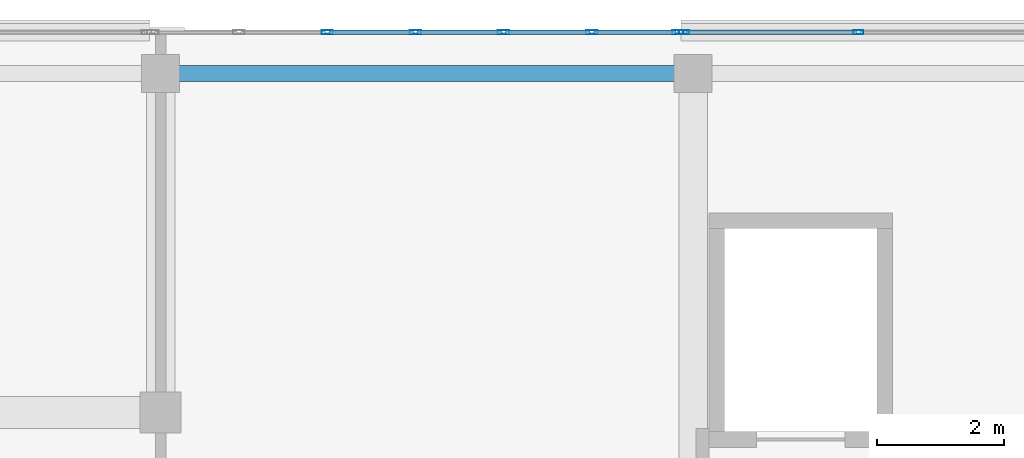
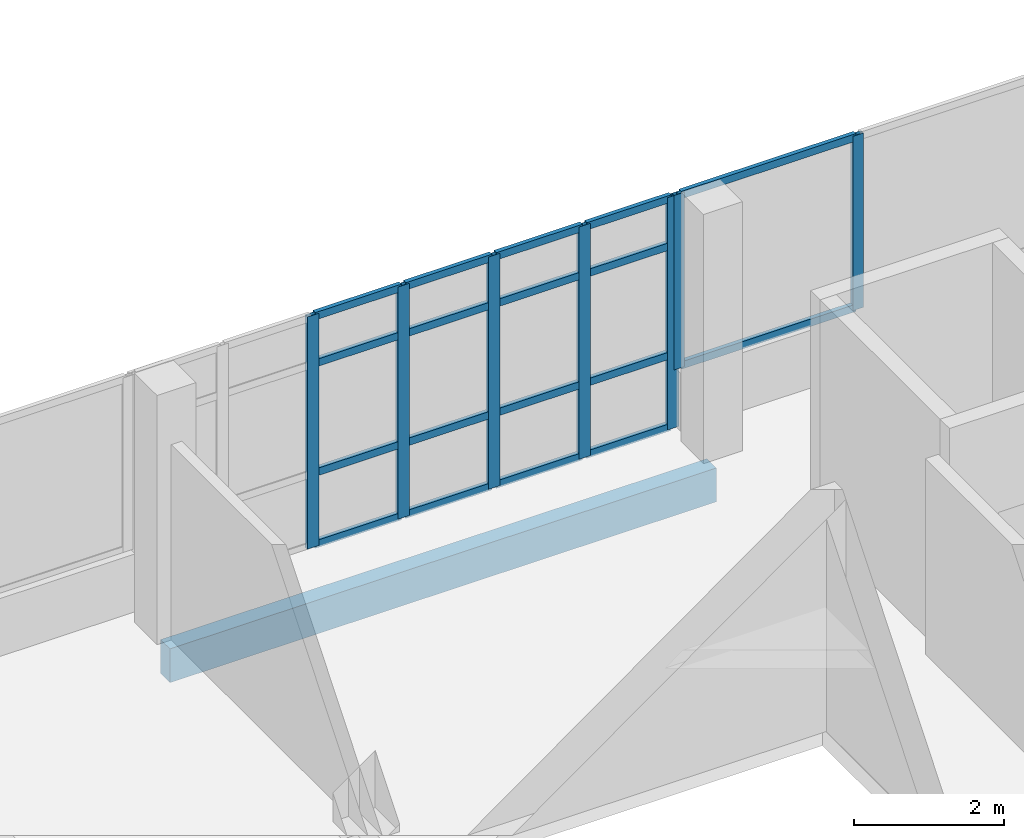
# One storey, part 32 of 78: 25 members, 1 beam, 2 elements without a shape of their own.
"""IFC4 building model written with IfcOpenShell, lengths in metres."""

from ifc_helpers import new_model, si_unit, direction, frame, origin, origin_2d, place, context, subcontext, project, spatial, rectangle, hollow_rectangle, extrude, material, material_profile, profile_set, type_object, element, aggregate, save


model = new_model("IFC4")

# Units and contexts
model_context = context("Model", 3, precision=1e-05, world=origin(), true_north=direction((0.0, 1.0)))
body_context = subcontext(model_context, "Body", "Model", "MODEL_VIEW")
ifc_project = project(units=[si_unit("LENGTHUNIT", "METRE"), si_unit("AREAUNIT", "SQUARE_METRE"), si_unit("VOLUMEUNIT", "CUBIC_METRE"), si_unit("PLANEANGLEUNIT", "RADIAN"), si_unit("MASSUNIT", "GRAM", prefix="KILO")], contexts=[model_context])

# Site, building, storey
site_placement = place(None, origin())
site = spatial("IfcSite", under=ifc_project, at=site_placement, CompositionType="ELEMENT")
building_placement = place(site_placement, origin())
building = spatial("IfcBuilding", under=site, at=building_placement, Name="Selatvlak General Hospital", CompositionType="ELEMENT")
storey_placement = place(building_placement, frame((0.0, 0.0, 23.25)))
storey = spatial("IfcBuildingStorey", under=building, at=storey_placement, Name="L05", CompositionType="ELEMENT", Elevation=23.25)

# Beam
ifc_material_1 = material(Name="Concrete C40/50", Category="concrete")
ifc_material_profile_1 = material_profile(ifc_material_1, rectangle(XDim=0.25, YDim=0.550048828125, at=origin_2d()), Name="RC-SP 250x550")
ifc_profile_set_1 = profile_set([ifc_material_profile_1], Name="Concrete C40/50")
beam_type = type_object("IfcBeamType", Name="BM-SP2", PredefinedType="SPANDREL", material=ifc_profile_set_1)
beam_placement = place(storey_placement, frame((90.0, 119.35009765625, -0.554931640625), z_axis=(1.0, 0.0, 0.0), x_axis=(0.0, 1.0, 0.0)))
element("IfcBeam", 1, at=beam_placement, inside=storey, type_object=beam_type, Name="Beam BMR-L05-1980", PredefinedType="SPANDREL", context=body_context, shape_type="SweptSolid", body=[
    extrude(rectangle(XDim=0.25, YDim=0.550048828125, at=origin_2d()), origin(), (0.0, 0.0, 1.0), 8.39990234375),
])

# Curtain wall, members
ifc_material_2 = material(Name="Solar-control Low-E double glazing", Category="glass")
curtain_wall_type_1 = type_object("IfcCurtainWallType", Name="CW-CW-02", PredefinedType="USERDEFINED", material=ifc_material_2)
curtain_wall_1_placement = place(storey_placement, origin())
curtain_wall_1 = element("IfcCurtainWall", 2, at=curtain_wall_1_placement, inside=storey, type_object=curtain_wall_type_1, Name="Glazed facade curtain wall CW-L05-0556", ObjectType="UNITISED CURTAIN WALL", PredefinedType="USERDEFINED")
ifc_material_3 = material(Name="Dark anodised aluminium mullion", Category="aluminium")
ifc_material_profile_2 = material_profile(ifc_material_3, hollow_rectangle(XDim=0.06494140625, YDim=0.159912109375, WallThickness=0.00390625, at=origin_2d()), Name="AL-MUL 65x160x4")
ifc_profile_set_2 = profile_set([ifc_material_profile_2], Name="Dark anodised aluminium mullion")
member_type_1 = type_object("IfcMemberType", Name="CWM-01", PredefinedType="MULLION", material=ifc_profile_set_2)
member_1_placement = place(storey_placement, frame((98.257568359375, 119.9990234375, 0.93994140625), z_axis=(0.0, 0.0, 1.0), x_axis=(-0.000119774825, 0.999999992827, 0.0)))
member_1 = element("IfcMember", 3, at=member_1_placement, type_object=member_type_1, Name="CW-02 mullion 1", PredefinedType="MULLION", context=body_context, shape_type="SweptSolid", body=[
    extrude(hollow_rectangle(XDim=0.06494140625, YDim=0.159912109375, WallThickness=0.00390625, at=origin_2d()), origin(), (0.0, 0.0, 1.0), 2.8349609375),
])
member_2_placement = place(storey_placement, frame((101.008056640625, 119.999267578125, 0.93994140625), z_axis=(0.0, 0.0, 1.0), x_axis=(-0.000119774825, 0.999999992827, 0.0)))
member_2 = element("IfcMember", 4, at=member_2_placement, type_object=member_type_1, Name="CW-02 mullion 2", PredefinedType="MULLION", context=body_context, shape_type="SweptSolid", body=[
    extrude(hollow_rectangle(XDim=0.06494140625, YDim=0.159912109375, WallThickness=0.00390625, at=origin_2d()), origin(), (0.0, 0.0, 1.0), 2.8349609375),
])

curtain_wall_type_2 = type_object("IfcCurtainWallType", Name="CW-CW-04", PredefinedType="USERDEFINED", material=ifc_material_2)
curtain_wall_2_placement = place(storey_placement, origin())
curtain_wall_2 = element("IfcCurtainWall", 5, at=curtain_wall_2_placement, inside=storey, type_object=curtain_wall_type_2, Name="Glazed facade curtain wall CW-L05-0555", ObjectType="STICK GLAZING WALL", PredefinedType="USERDEFINED")
ifc_material_profile_3 = material_profile(ifc_material_3, hollow_rectangle(XDim=0.06494140625, YDim=0.179931640625, WallThickness=0.00439453125, at=origin_2d()), Name="AL-MUL 65x180x4.5")
ifc_profile_set_3 = profile_set([ifc_material_profile_3], Name="Dark anodised aluminium mullion")
member_type_2 = type_object("IfcMemberType", Name="CWM-02", PredefinedType="MULLION", material=ifc_profile_set_3)
member_3_placement = place(storey_placement, frame((92.62890625, 119.9990234375, 0.0), z_axis=(0.0, 0.0, 1.0), x_axis=(0.0, 1.0, 0.0)))
member_3 = element("IfcMember", 6, at=member_3_placement, type_object=member_type_2, Name="CW-04 mullion 3", PredefinedType="MULLION", context=body_context, shape_type="SweptSolid", body=[
    extrude(hollow_rectangle(XDim=0.06494140625, YDim=0.179931640625, WallThickness=0.00439453125, at=origin_2d()), origin(), (0.0, 0.0, 1.0), 3.77490234375),
])
member_4_placement = place(storey_placement, frame((94.0205078125, 119.9990234375, 0.0), z_axis=(0.0, 0.0, 1.0), x_axis=(0.0, 1.0, 0.0)))
member_4 = element("IfcMember", 7, at=member_4_placement, type_object=member_type_2, Name="CW-04 mullion 4", PredefinedType="MULLION", context=body_context, shape_type="SweptSolid", body=[
    extrude(hollow_rectangle(XDim=0.06494140625, YDim=0.179931640625, WallThickness=0.00439453125, at=origin_2d()), origin(), (0.0, 0.0, 1.0), 3.77490234375),
])
member_5_placement = place(storey_placement, frame((95.412109375, 119.9990234375, 0.0), z_axis=(0.0, 0.0, 1.0), x_axis=(0.0, 1.0, 0.0)))
member_5 = element("IfcMember", 8, at=member_5_placement, type_object=member_type_2, Name="CW-04 mullion 5", PredefinedType="MULLION", context=body_context, shape_type="SweptSolid", body=[
    extrude(hollow_rectangle(XDim=0.06494140625, YDim=0.179931640625, WallThickness=0.00439453125, at=origin_2d()), origin(), (0.0, 0.0, 1.0), 3.77490234375),
])
member_6_placement = place(storey_placement, frame((96.803466796875, 119.9990234375, 0.0), z_axis=(0.0, 0.0, 1.0), x_axis=(0.0, 1.0, 0.0)))
member_6 = element("IfcMember", 9, at=member_6_placement, type_object=member_type_2, Name="CW-04 mullion 6", PredefinedType="MULLION", context=body_context, shape_type="SweptSolid", body=[
    extrude(hollow_rectangle(XDim=0.06494140625, YDim=0.179931640625, WallThickness=0.00439453125, at=origin_2d()), origin(), (0.0, 0.0, 1.0), 3.77490234375),
])
member_7_placement = place(storey_placement, frame((98.16259765625, 119.9990234375, 0.0), z_axis=(0.0, 0.0, 1.0), x_axis=(0.0, 1.0, 0.0)))
member_7 = element("IfcMember", 10, at=member_7_placement, type_object=member_type_2, Name="CW-04 mullion 7", PredefinedType="MULLION", context=body_context, shape_type="SweptSolid", body=[
    extrude(hollow_rectangle(XDim=0.06494140625, YDim=0.179931640625, WallThickness=0.00439453125, at=origin_2d()), origin(), (0.0, 0.0, 1.0), 3.77490234375),
])
ifc_material_profile_4 = material_profile(ifc_material_3, hollow_rectangle(XDim=0.06494140625, YDim=0.1201171875, WallThickness=0.00390625, at=origin_2d()), Name="AL-TRN 65x120x4")
ifc_profile_set_4 = profile_set([ifc_material_profile_4], Name="Dark anodised aluminium mullion")
member_type_3 = type_object("IfcMemberType", Name="CWT-01", PredefinedType="USERDEFINED", material=ifc_profile_set_4)
member_8_placement = place(storey_placement, frame((92.66162109375, 119.9990234375, 0.032470703125), z_axis=(1.0, 0.0, 0.0), x_axis=(0.0, 1.0, 0.0)))
member_8 = element("IfcMember", 11, at=member_8_placement, type_object=member_type_3, Name="CW-04 transom 3.1", ObjectType="TRANSOM", PredefinedType="USERDEFINED", context=body_context, shape_type="SweptSolid", body=[
    extrude(hollow_rectangle(XDim=0.06494140625, YDim=0.1201171875, WallThickness=0.00390625, at=origin_2d()), origin(), (0.0, 0.0, 1.0), 1.326416015625),
])
member_9_placement = place(storey_placement, frame((92.66162109375, 119.9990234375, 1.199951171875), z_axis=(1.0, 0.0, 0.0), x_axis=(0.0, 1.0, 0.0)))
member_9 = element("IfcMember", 12, at=member_9_placement, type_object=member_type_3, Name="CW-04 transom 3.2", ObjectType="TRANSOM", PredefinedType="USERDEFINED", context=body_context, shape_type="SweptSolid", body=[
    extrude(hollow_rectangle(XDim=0.06494140625, YDim=0.1201171875, WallThickness=0.00390625, at=origin_2d()), origin(), (0.0, 0.0, 1.0), 1.326416015625),
])
member_10_placement = place(storey_placement, frame((92.66162109375, 119.9990234375, 2.97509765625), z_axis=(1.0, 0.0, 0.0), x_axis=(0.0, 1.0, 0.0)))
member_10 = element("IfcMember", 13, at=member_10_placement, type_object=member_type_3, Name="CW-04 transom 3.3", ObjectType="TRANSOM", PredefinedType="USERDEFINED", context=body_context, shape_type="SweptSolid", body=[
    extrude(hollow_rectangle(XDim=0.06494140625, YDim=0.1201171875, WallThickness=0.00390625, at=origin_2d()), origin(), (0.0, 0.0, 1.0), 1.326416015625),
])
member_11_placement = place(storey_placement, frame((92.66162109375, 119.9990234375, 3.742431640625), z_axis=(1.0, 0.0, 0.0), x_axis=(0.0, 1.0, 0.0)))
member_11 = element("IfcMember", 14, at=member_11_placement, type_object=member_type_3, Name="CW-04 transom 3.4", ObjectType="TRANSOM", PredefinedType="USERDEFINED", context=body_context, shape_type="SweptSolid", body=[
    extrude(hollow_rectangle(XDim=0.06494140625, YDim=0.1201171875, WallThickness=0.00390625, at=origin_2d()), origin(), (0.0, 0.0, 1.0), 1.326416015625),
])
member_12_placement = place(storey_placement, frame((94.052978515625, 119.9990234375, 0.032470703125), z_axis=(1.0, 0.0, 0.0), x_axis=(0.0, 1.0, 0.0)))
member_12 = element("IfcMember", 15, at=member_12_placement, type_object=member_type_3, Name="CW-04 transom 4.1", ObjectType="TRANSOM", PredefinedType="USERDEFINED", context=body_context, shape_type="SweptSolid", body=[
    extrude(hollow_rectangle(XDim=0.06494140625, YDim=0.1201171875, WallThickness=0.00390625, at=origin_2d()), origin(), (0.0, 0.0, 1.0), 1.326416015625),
])
member_13_placement = place(storey_placement, frame((94.052978515625, 119.9990234375, 1.199951171875), z_axis=(1.0, 0.0, 0.0), x_axis=(0.0, 1.0, 0.0)))
member_13 = element("IfcMember", 16, at=member_13_placement, type_object=member_type_3, Name="CW-04 transom 4.2", ObjectType="TRANSOM", PredefinedType="USERDEFINED", context=body_context, shape_type="SweptSolid", body=[
    extrude(hollow_rectangle(XDim=0.06494140625, YDim=0.1201171875, WallThickness=0.00390625, at=origin_2d()), origin(), (0.0, 0.0, 1.0), 1.326416015625),
])
member_14_placement = place(storey_placement, frame((94.052978515625, 119.9990234375, 2.97509765625), z_axis=(1.0, 0.0, 0.0), x_axis=(0.0, 1.0, 0.0)))
member_14 = element("IfcMember", 17, at=member_14_placement, type_object=member_type_3, Name="CW-04 transom 4.3", ObjectType="TRANSOM", PredefinedType="USERDEFINED", context=body_context, shape_type="SweptSolid", body=[
    extrude(hollow_rectangle(XDim=0.06494140625, YDim=0.1201171875, WallThickness=0.00390625, at=origin_2d()), origin(), (0.0, 0.0, 1.0), 1.326416015625),
])
member_15_placement = place(storey_placement, frame((94.052978515625, 119.9990234375, 3.742431640625), z_axis=(1.0, 0.0, 0.0), x_axis=(0.0, 1.0, 0.0)))
member_15 = element("IfcMember", 18, at=member_15_placement, type_object=member_type_3, Name="CW-04 transom 4.4", ObjectType="TRANSOM", PredefinedType="USERDEFINED", context=body_context, shape_type="SweptSolid", body=[
    extrude(hollow_rectangle(XDim=0.06494140625, YDim=0.1201171875, WallThickness=0.00390625, at=origin_2d()), origin(), (0.0, 0.0, 1.0), 1.326416015625),
])
member_16_placement = place(storey_placement, frame((95.444580078125, 119.9990234375, 0.032470703125), z_axis=(1.0, 0.0, 0.0), x_axis=(0.0, 1.0, 0.0)))
member_16 = element("IfcMember", 19, at=member_16_placement, type_object=member_type_3, Name="CW-04 transom 5.1", ObjectType="TRANSOM", PredefinedType="USERDEFINED", context=body_context, shape_type="SweptSolid", body=[
    extrude(hollow_rectangle(XDim=0.06494140625, YDim=0.1201171875, WallThickness=0.00390625, at=origin_2d()), origin(), (0.0, 0.0, 1.0), 1.326416015625),
])
member_17_placement = place(storey_placement, frame((95.444580078125, 119.9990234375, 1.199951171875), z_axis=(1.0, 0.0, 0.0), x_axis=(0.0, 1.0, 0.0)))
member_17 = element("IfcMember", 20, at=member_17_placement, type_object=member_type_3, Name="CW-04 transom 5.2", ObjectType="TRANSOM", PredefinedType="USERDEFINED", context=body_context, shape_type="SweptSolid", body=[
    extrude(hollow_rectangle(XDim=0.06494140625, YDim=0.1201171875, WallThickness=0.00390625, at=origin_2d()), origin(), (0.0, 0.0, 1.0), 1.326416015625),
])
member_18_placement = place(storey_placement, frame((95.444580078125, 119.9990234375, 2.97509765625), z_axis=(1.0, 0.0, 0.0), x_axis=(0.0, 1.0, 0.0)))
member_18 = element("IfcMember", 21, at=member_18_placement, type_object=member_type_3, Name="CW-04 transom 5.3", ObjectType="TRANSOM", PredefinedType="USERDEFINED", context=body_context, shape_type="SweptSolid", body=[
    extrude(hollow_rectangle(XDim=0.06494140625, YDim=0.1201171875, WallThickness=0.00390625, at=origin_2d()), origin(), (0.0, 0.0, 1.0), 1.326416015625),
])
member_19_placement = place(storey_placement, frame((95.444580078125, 119.9990234375, 3.742431640625), z_axis=(1.0, 0.0, 0.0), x_axis=(0.0, 1.0, 0.0)))
member_19 = element("IfcMember", 22, at=member_19_placement, type_object=member_type_3, Name="CW-04 transom 5.4", ObjectType="TRANSOM", PredefinedType="USERDEFINED", context=body_context, shape_type="SweptSolid", body=[
    extrude(hollow_rectangle(XDim=0.06494140625, YDim=0.1201171875, WallThickness=0.00390625, at=origin_2d()), origin(), (0.0, 0.0, 1.0), 1.326416015625),
])
member_20_placement = place(storey_placement, frame((96.8359375, 119.9990234375, 0.032470703125), z_axis=(1.0, 0.0, 0.0), x_axis=(0.0, 1.0, 0.0)))
member_20 = element("IfcMember", 23, at=member_20_placement, type_object=member_type_3, Name="CW-04 transom 6.1", ObjectType="TRANSOM", PredefinedType="USERDEFINED", context=body_context, shape_type="SweptSolid", body=[
    extrude(hollow_rectangle(XDim=0.06494140625, YDim=0.1201171875, WallThickness=0.00390625, at=origin_2d()), origin(), (0.0, 0.0, 1.0), 1.2939453125),
])
member_21_placement = place(storey_placement, frame((96.8359375, 119.9990234375, 1.199951171875), z_axis=(1.0, 0.0, 0.0), x_axis=(0.0, 1.0, 0.0)))
member_21 = element("IfcMember", 24, at=member_21_placement, type_object=member_type_3, Name="CW-04 transom 6.2", ObjectType="TRANSOM", PredefinedType="USERDEFINED", context=body_context, shape_type="SweptSolid", body=[
    extrude(hollow_rectangle(XDim=0.06494140625, YDim=0.1201171875, WallThickness=0.00390625, at=origin_2d()), origin(), (0.0, 0.0, 1.0), 1.2939453125),
])
member_22_placement = place(storey_placement, frame((96.8359375, 119.9990234375, 2.97509765625), z_axis=(1.0, 0.0, 0.0), x_axis=(0.0, 1.0, 0.0)))
member_22 = element("IfcMember", 25, at=member_22_placement, type_object=member_type_3, Name="CW-04 transom 6.3", ObjectType="TRANSOM", PredefinedType="USERDEFINED", context=body_context, shape_type="SweptSolid", body=[
    extrude(hollow_rectangle(XDim=0.06494140625, YDim=0.1201171875, WallThickness=0.00390625, at=origin_2d()), origin(), (0.0, 0.0, 1.0), 1.2939453125),
])
member_23_placement = place(storey_placement, frame((96.8359375, 119.9990234375, 3.742431640625), z_axis=(1.0, 0.0, 0.0), x_axis=(0.0, 1.0, 0.0)))
member_23 = element("IfcMember", 26, at=member_23_placement, type_object=member_type_3, Name="CW-04 transom 6.4", ObjectType="TRANSOM", PredefinedType="USERDEFINED", context=body_context, shape_type="SweptSolid", body=[
    extrude(hollow_rectangle(XDim=0.06494140625, YDim=0.1201171875, WallThickness=0.00390625, at=origin_2d()), origin(), (0.0, 0.0, 1.0), 1.2939453125),
])
aggregate(curtain_wall_2, [member_3, member_4, member_5, member_6, member_7, member_8, member_9, member_10, member_11, member_12, member_13, member_14, member_15, member_16, member_17, member_18, member_19, member_20, member_21, member_22, member_23])

# Member
member_24_placement = place(storey_placement, frame((98.2900390625, 119.9990234375, 0.972412109375), z_axis=(0.999999995868, 9.0909091e-05, 0.0), x_axis=(-9.0909091e-05, 0.999999995868, 0.0)))
member_24 = element("IfcMember", 27, at=member_24_placement, type_object=member_type_3, Name="CW-02 transom 1.1", ObjectType="TRANSOM", PredefinedType="USERDEFINED", context=body_context, shape_type="SweptSolid", body=[
    extrude(hollow_rectangle(XDim=0.06494140625, YDim=0.1201171875, WallThickness=0.00390625, at=origin_2d()), origin(), (0.0, 0.0, 1.0), 2.685546875),
])

member_25_placement = place(storey_placement, frame((98.2900390625, 119.9990234375, 3.742431640625), z_axis=(0.999999995868, 9.0909091e-05, 0.0), x_axis=(-9.0909091e-05, 0.999999995868, 0.0)))
member_25 = element("IfcMember", 28, at=member_25_placement, type_object=member_type_3, Name="CW-02 transom 1.2", ObjectType="TRANSOM", PredefinedType="USERDEFINED", context=body_context, shape_type="SweptSolid", body=[
    extrude(hollow_rectangle(XDim=0.06494140625, YDim=0.1201171875, WallThickness=0.00390625, at=origin_2d()), origin(), (0.0, 0.0, 1.0), 2.685546875),
])

aggregate(curtain_wall_1, [member_1, member_2, member_24, member_25])

save(model, "model.ifc")
